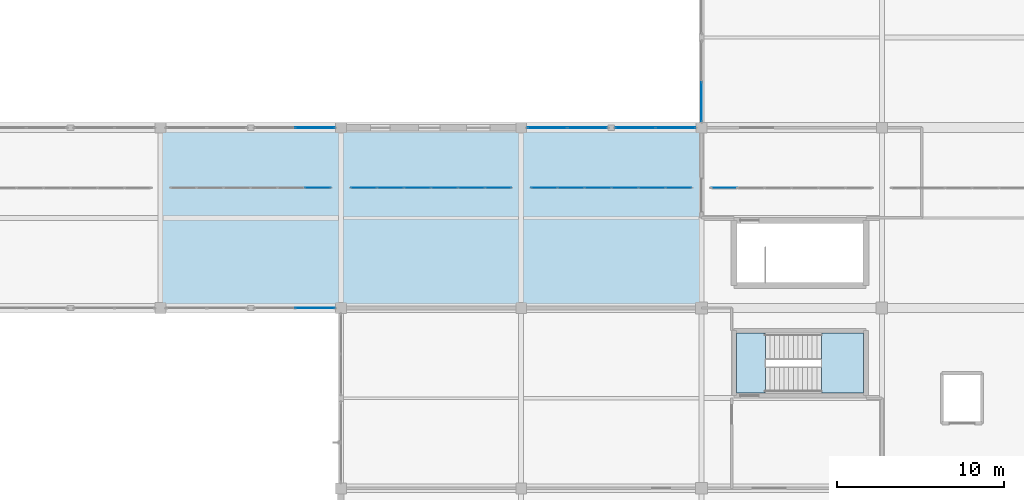
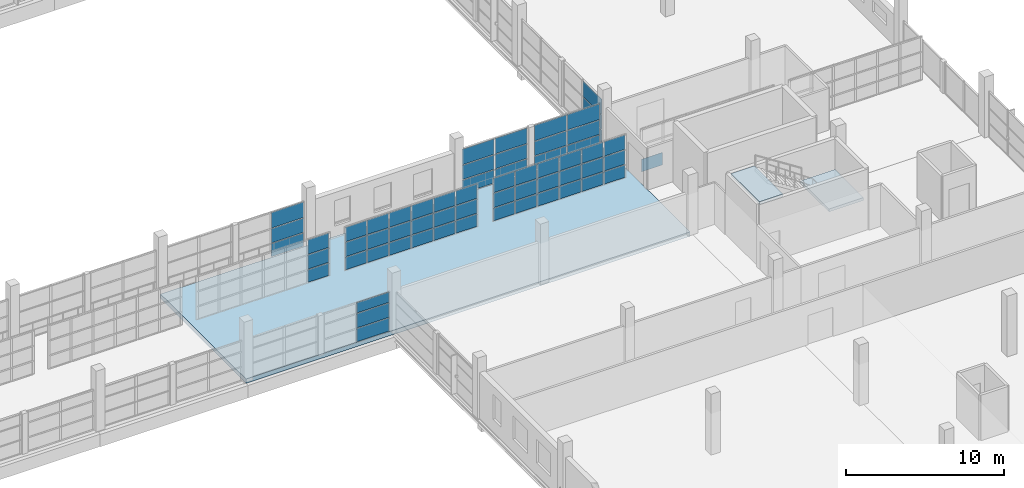
# One storey, part 96 of 142: 61 plates, 3 slabs, 10 elements without a shape of their own.
"""IFC4 building model written with IfcOpenShell, lengths in metres."""

from ifc_helpers import new_model, si_unit, direction, frame, origin, origin_2d, place, context, subcontext, project, spatial, polyline, rectangle, outline, extrude, material, layer, layer_set, type_object, element, aggregate, save


model = new_model("IFC4")

# Units and contexts
model_context = context("Model", 3, precision=1e-05, world=origin(), true_north=direction((0.0, 1.0)))
body_context = subcontext(model_context, "Body", "Model", "MODEL_VIEW")
ifc_project = project(units=[si_unit("LENGTHUNIT", "METRE"), si_unit("AREAUNIT", "SQUARE_METRE"), si_unit("VOLUMEUNIT", "CUBIC_METRE"), si_unit("PLANEANGLEUNIT", "RADIAN"), si_unit("MASSUNIT", "GRAM", prefix="KILO")], contexts=[model_context])

# Site, building, storey
site_placement = place(None, origin())
site = spatial("IfcSite", under=ifc_project, at=site_placement, CompositionType="ELEMENT")
building_placement = place(site_placement, origin())
building = spatial("IfcBuilding", under=site, at=building_placement, Name="Zwinboog Wholesale Market", CompositionType="ELEMENT")
storey_placement = place(building_placement, frame((0.0, 0.0, 5.39990234375)))
storey = spatial("IfcBuildingStorey", under=building, at=storey_placement, Name="L01", CompositionType="ELEMENT", Elevation=5.39990234375)

# Slab
ifc_material_1 = material(Name="Precast concrete C45/55", Category="concrete")
ifc_layer_1 = layer(ifc_material_1, 0.33203125)
ifc_layer_set_1 = layer_set([ifc_layer_1], Name="Precast concrete C45/55")
slab_type_1 = type_object("IfcSlabType", Name="SLT-FL-332", PredefinedType="FLOOR", material=ifc_layer_set_1)
slab_1_placement = place(storey_placement, frame((0.0, 0.0, -0.331787109375)))
element("IfcSlab", 1, at=slab_1_placement, inside=storey, type_object=slab_type_1, Name="SF-332 (SLB-L01-038)", PredefinedType="FLOOR", context=body_context, shape_type="SweptSolid", body=[
    extrude(outline(polyline([(118.800048828125, 43.199951171875), (151.199951171875, 43.199951171875), (151.199951171875, 54.0), (118.800048828125, 54.0), (118.800048828125, 43.199951171875)])), origin(), (0.0, 0.0, 1.0), 0.331787109375),
])

# Curtain wall, plates
ifc_material_2 = material(Name="Aluminium thermally broken curtain wall", Category="aluminium")
curtain_wall_type_1 = type_object("IfcCurtainWallType", Name="CWT-STALL-20", PredefinedType="USERDEFINED", material=ifc_material_2)
curtain_wall_1_placement = place(storey_placement, origin())
curtain_wall_1 = element("IfcCurtainWall", 2, at=curtain_wall_1_placement, inside=storey, type_object=curtain_wall_type_1, Name="CW-02 (CW-L01-110)", ObjectType="STOREFRONT_GLAZING", PredefinedType="USERDEFINED")
ifc_material_3 = material(Name="Triple solar-control insulated glazing", Category="glass")
ifc_layer_2 = layer(ifc_material_3, 0.0380859375)
ifc_layer_set_2 = layer_set([ifc_layer_2], Name="Triple solar-control insulated glazing")
plate_type_1 = type_object("IfcPlateType", Name="CWP-IGU-38", PredefinedType="CURTAIN_PANEL", material=ifc_layer_set_2)
plate_1_placement = place(storey_placement, frame((128.044921875, 43.199951171875, 0.06005859375), z_axis=(0.0, 0.0, 1.0), x_axis=(1.0, 0.0, 0.0)))
plate_1 = element("IfcPlate", 3, at=plate_1_placement, type_object=plate_type_1, Name="CW-02 panel 2.1", PredefinedType="CURTAIN_PANEL", context=body_context, shape_type="SweptSolid", body=[
    extrude(rectangle(XDim=2.35009765625, YDim=0.0380859375, at=origin_2d()), origin(), (0.0, 0.0, 1.0), 1.010009765625),
])
plate_2_placement = place(storey_placement, frame((128.044921875, 43.199951171875, 1.1298828125), z_axis=(0.0, 0.0, 1.0), x_axis=(1.0, 0.0, 0.0)))
plate_2 = element("IfcPlate", 4, at=plate_2_placement, type_object=plate_type_1, Name="CW-02 panel 2.2", PredefinedType="CURTAIN_PANEL", context=body_context, shape_type="SweptSolid", body=[
    extrude(rectangle(XDim=2.35009765625, YDim=0.0380859375, at=origin_2d()), origin(), (0.0, 0.0, 1.0), 1.090087890625),
])
plate_3_placement = place(storey_placement, frame((128.044921875, 43.199951171875, 2.2802734375), z_axis=(0.0, 0.0, 1.0), x_axis=(1.0, 0.0, 0.0)))
plate_3 = element("IfcPlate", 5, at=plate_3_placement, type_object=plate_type_1, Name="CW-02 panel 2.3", PredefinedType="CURTAIN_PANEL", context=body_context, shape_type="SweptSolid", body=[
    extrude(rectangle(XDim=2.35009765625, YDim=0.0380859375, at=origin_2d()), origin(), (0.0, 0.0, 1.0), 0.780029296875),
])
aggregate(curtain_wall_1, [plate_1, plate_2, plate_3])

curtain_wall_type_2 = type_object("IfcCurtainWallType", Name="CWT-GAL-16", PredefinedType="USERDEFINED", material=ifc_material_2)
curtain_wall_2_placement = place(storey_placement, origin())
curtain_wall_2 = element("IfcCurtainWall", 6, at=curtain_wall_2_placement, inside=storey, type_object=curtain_wall_type_2, Name="CW-04 (CW-L01-112)", ObjectType="UNITIZED_CURTAIN_WALL", PredefinedType="USERDEFINED")
plate_4_placement = place(storey_placement, frame((128.044921875, 54.0, 0.06005859375), z_axis=(0.0, 0.0, 1.0), x_axis=(1.0, 0.0, 0.0)))
plate_4 = element("IfcPlate", 7, at=plate_4_placement, type_object=plate_type_1, Name="CW-04 panel 2.1", PredefinedType="CURTAIN_PANEL", context=body_context, shape_type="SweptSolid", body=[
    extrude(rectangle(XDim=2.35009765625, YDim=0.0380859375, at=origin_2d()), origin(), (0.0, 0.0, 1.0), 1.010009765625),
])
plate_5_placement = place(storey_placement, frame((128.044921875, 54.0, 1.1298828125), z_axis=(0.0, 0.0, 1.0), x_axis=(1.0, 0.0, 0.0)))
plate_5 = element("IfcPlate", 8, at=plate_5_placement, type_object=plate_type_1, Name="CW-04 panel 2.2", PredefinedType="CURTAIN_PANEL", context=body_context, shape_type="SweptSolid", body=[
    extrude(rectangle(XDim=2.35009765625, YDim=0.0380859375, at=origin_2d()), origin(), (0.0, 0.0, 1.0), 1.090087890625),
])
plate_6_placement = place(storey_placement, frame((128.044921875, 54.0, 2.280029296875), z_axis=(0.0, 0.0, 1.0), x_axis=(1.0, 0.0, 0.0)))
plate_6 = element("IfcPlate", 9, at=plate_6_placement, type_object=plate_type_1, Name="CW-04 panel 2.3", PredefinedType="CURTAIN_PANEL", context=body_context, shape_type="SweptSolid", body=[
    extrude(rectangle(XDim=2.35009765625, YDim=0.0380859375, at=origin_2d()), origin(), (0.0, 0.0, 1.0), 1.18994140625),
])
aggregate(curtain_wall_2, [plate_4, plate_5, plate_6])

curtain_wall_type_3 = type_object("IfcCurtainWallType", Name="CWT-HALL-24", PredefinedType="USERDEFINED", material=ifc_material_2)
curtain_wall_3_placement = place(storey_placement, origin())
curtain_wall_3 = element("IfcCurtainWall", 10, at=curtain_wall_3_placement, inside=storey, type_object=curtain_wall_type_3, Name="CW-03 (CW-L01-123)", ObjectType="UNITIZED_CURTAIN_WALL", PredefinedType="USERDEFINED")
plate_7_placement = place(storey_placement, frame((141.956298828125, 54.0, 0.065185546875), z_axis=(0.0, 0.0, 1.0), x_axis=(1.0, 0.0, 0.0)))
plate_7 = element("IfcPlate", 11, at=plate_7_placement, type_object=plate_type_1, Name="CW-03 panel 1.1", PredefinedType="CURTAIN_PANEL", context=body_context, shape_type="SweptSolid", body=[
    extrude(rectangle(XDim=2.342529296875, YDim=0.0380859375, at=origin_2d()), origin(), (0.0, 0.0, 1.0), 1.00244140625),
])
plate_8_placement = place(storey_placement, frame((141.956298828125, 54.0, 1.132568359375), z_axis=(0.0, 0.0, 1.0), x_axis=(1.0, 0.0, 0.0)))
plate_8 = element("IfcPlate", 12, at=plate_8_placement, type_object=plate_type_1, Name="CW-03 panel 1.2", PredefinedType="CURTAIN_PANEL", context=body_context, shape_type="SweptSolid", body=[
    extrude(rectangle(XDim=2.342529296875, YDim=0.0380859375, at=origin_2d()), origin(), (0.0, 0.0, 1.0), 1.0849609375),
])
plate_9_placement = place(storey_placement, frame((141.956298828125, 54.0, 2.282470703125), z_axis=(0.0, 0.0, 1.0), x_axis=(1.0, 0.0, 0.0)))
plate_9 = element("IfcPlate", 13, at=plate_9_placement, type_object=plate_type_1, Name="CW-03 panel 1.3", PredefinedType="CURTAIN_PANEL", context=body_context, shape_type="SweptSolid", body=[
    extrude(rectangle(XDim=2.342529296875, YDim=0.0380859375, at=origin_2d()), origin(), (0.0, 0.0, 1.0), 1.1826171875),
])
plate_10_placement = place(storey_placement, frame((144.36376953125, 54.0, 0.065185546875), z_axis=(0.0, 0.0, 1.0), x_axis=(1.0, 0.0, 0.0)))
plate_10 = element("IfcPlate", 14, at=plate_10_placement, type_object=plate_type_1, Name="CW-03 panel 2.1", PredefinedType="CURTAIN_PANEL", context=body_context, shape_type="SweptSolid", body=[
    extrude(rectangle(XDim=2.342529296875, YDim=0.0380859375, at=origin_2d()), origin(), (0.0, 0.0, 1.0), 1.00244140625),
])
plate_11_placement = place(storey_placement, frame((144.36376953125, 54.0, 1.132568359375), z_axis=(0.0, 0.0, 1.0), x_axis=(1.0, 0.0, 0.0)))
plate_11 = element("IfcPlate", 15, at=plate_11_placement, type_object=plate_type_1, Name="CW-03 panel 2.2", PredefinedType="CURTAIN_PANEL", context=body_context, shape_type="SweptSolid", body=[
    extrude(rectangle(XDim=2.342529296875, YDim=0.0380859375, at=origin_2d()), origin(), (0.0, 0.0, 1.0), 1.0849609375),
])
plate_12_placement = place(storey_placement, frame((144.36376953125, 54.0, 2.282470703125), z_axis=(0.0, 0.0, 1.0), x_axis=(1.0, 0.0, 0.0)))
plate_12 = element("IfcPlate", 16, at=plate_12_placement, type_object=plate_type_1, Name="CW-03 panel 2.3", PredefinedType="CURTAIN_PANEL", context=body_context, shape_type="SweptSolid", body=[
    extrude(rectangle(XDim=2.342529296875, YDim=0.0380859375, at=origin_2d()), origin(), (0.0, 0.0, 1.0), 1.1826171875),
])
aggregate(curtain_wall_3, [plate_7, plate_8, plate_9, plate_10, plate_11, plate_12])

curtain_wall_4_placement = place(storey_placement, origin())
curtain_wall_4 = element("IfcCurtainWall", 17, at=curtain_wall_4_placement, inside=storey, type_object=curtain_wall_type_2, Name="CW-04 (CW-L01-124)", ObjectType="UNITIZED_CURTAIN_WALL", PredefinedType="USERDEFINED")
plate_13_placement = place(storey_placement, frame((147.235107421875, 54.0, 0.06005859375), z_axis=(0.0, 0.0, 1.0), x_axis=(1.0, 0.0, 0.0)))
plate_13 = element("IfcPlate", 18, at=plate_13_placement, type_object=plate_type_1, Name="CW-04 panel 1.1", PredefinedType="CURTAIN_PANEL", context=body_context, shape_type="SweptSolid", body=[
    extrude(rectangle(XDim=2.35009765625, YDim=0.0380859375, at=origin_2d()), origin(), (0.0, 0.0, 1.0), 1.010009765625),
])
plate_14_placement = place(storey_placement, frame((147.235107421875, 54.0, 1.1298828125), z_axis=(0.0, 0.0, 1.0), x_axis=(1.0, 0.0, 0.0)))
plate_14 = element("IfcPlate", 19, at=plate_14_placement, type_object=plate_type_1, Name="CW-04 panel 1.2", PredefinedType="CURTAIN_PANEL", context=body_context, shape_type="SweptSolid", body=[
    extrude(rectangle(XDim=2.35009765625, YDim=0.0380859375, at=origin_2d()), origin(), (0.0, 0.0, 1.0), 1.090087890625),
])
plate_15_placement = place(storey_placement, frame((147.235107421875, 54.0, 2.280029296875), z_axis=(0.0, 0.0, 1.0), x_axis=(1.0, 0.0, 0.0)))
plate_15 = element("IfcPlate", 20, at=plate_15_placement, type_object=plate_type_1, Name="CW-04 panel 1.3", PredefinedType="CURTAIN_PANEL", context=body_context, shape_type="SweptSolid", body=[
    extrude(rectangle(XDim=2.35009765625, YDim=0.0380859375, at=origin_2d()), origin(), (0.0, 0.0, 1.0), 1.18994140625),
])
plate_16_placement = place(storey_placement, frame((149.64501953125, 54.0, 0.06005859375), z_axis=(0.0, 0.0, 1.0), x_axis=(1.0, 0.0, 0.0)))
plate_16 = element("IfcPlate", 21, at=plate_16_placement, type_object=plate_type_1, Name="CW-04 panel 2.1", PredefinedType="CURTAIN_PANEL", context=body_context, shape_type="SweptSolid", body=[
    extrude(rectangle(XDim=2.35009765625, YDim=0.0380859375, at=origin_2d()), origin(), (0.0, 0.0, 1.0), 1.010009765625),
])
plate_17_placement = place(storey_placement, frame((149.64501953125, 54.0, 1.1298828125), z_axis=(0.0, 0.0, 1.0), x_axis=(1.0, 0.0, 0.0)))
plate_17 = element("IfcPlate", 22, at=plate_17_placement, type_object=plate_type_1, Name="CW-04 panel 2.2", PredefinedType="CURTAIN_PANEL", context=body_context, shape_type="SweptSolid", body=[
    extrude(rectangle(XDim=2.35009765625, YDim=0.0380859375, at=origin_2d()), origin(), (0.0, 0.0, 1.0), 1.090087890625),
])
plate_18_placement = place(storey_placement, frame((149.64501953125, 54.0, 2.280029296875), z_axis=(0.0, 0.0, 1.0), x_axis=(1.0, 0.0, 0.0)))
plate_18 = element("IfcPlate", 23, at=plate_18_placement, type_object=plate_type_1, Name="CW-04 panel 2.3", PredefinedType="CURTAIN_PANEL", context=body_context, shape_type="SweptSolid", body=[
    extrude(rectangle(XDim=2.35009765625, YDim=0.0380859375, at=origin_2d()), origin(), (0.0, 0.0, 1.0), 1.18994140625),
])
aggregate(curtain_wall_4, [plate_13, plate_14, plate_15, plate_16, plate_17, plate_18])

curtain_wall_type_4 = type_object("IfcCurtainWallType", Name="CWT-STALL-18", PredefinedType="USERDEFINED", material=ifc_material_2)
curtain_wall_5_placement = place(storey_placement, origin())
curtain_wall_5 = element("IfcCurtainWall", 24, at=curtain_wall_5_placement, inside=storey, type_object=curtain_wall_type_4, Name="CW-01 (CW-L01-127)", ObjectType="STOREFRONT_GLAZING", PredefinedType="USERDEFINED")
plate_19_placement = place(storey_placement, frame((151.199951171875, 55.55615234375, 0.065185546875), z_axis=(0.0, 0.0, 1.0), x_axis=(0.0, 1.0, 0.0)))
plate_19 = element("IfcPlate", 25, at=plate_19_placement, type_object=plate_type_1, Name="CW-01 panel 1.1", PredefinedType="CURTAIN_PANEL", context=body_context, shape_type="SweptSolid", body=[
    extrude(rectangle(XDim=2.342529296875, YDim=0.0380859375, at=origin_2d()), origin(), (0.0, 0.0, 1.0), 1.00244140625),
])
plate_20_placement = place(storey_placement, frame((151.199951171875, 55.55615234375, 1.132568359375), z_axis=(0.0, 0.0, 1.0), x_axis=(0.0, 1.0, 0.0)))
plate_20 = element("IfcPlate", 26, at=plate_20_placement, type_object=plate_type_1, Name="CW-01 panel 1.2", PredefinedType="CURTAIN_PANEL", context=body_context, shape_type="SweptSolid", body=[
    extrude(rectangle(XDim=2.342529296875, YDim=0.0380859375, at=origin_2d()), origin(), (0.0, 0.0, 1.0), 1.0849609375),
])
plate_21_placement = place(storey_placement, frame((151.199951171875, 55.55615234375, 2.282470703125), z_axis=(0.0, 0.0, 1.0), x_axis=(0.0, 1.0, 0.0)))
plate_21 = element("IfcPlate", 27, at=plate_21_placement, type_object=plate_type_1, Name="CW-01 panel 1.3", PredefinedType="CURTAIN_PANEL", context=body_context, shape_type="SweptSolid", body=[
    extrude(rectangle(XDim=2.342529296875, YDim=0.0380859375, at=origin_2d()), origin(), (0.0, 0.0, 1.0), 1.1826171875),
])
aggregate(curtain_wall_5, [plate_19, plate_20, plate_21])

curtain_wall_type_5 = type_object("IfcCurtainWallType", Name="CWT-INT-STALL", PredefinedType="USERDEFINED", material=ifc_material_2)
curtain_wall_6_placement = place(storey_placement, origin())
curtain_wall_6 = element("IfcCurtainWall", 28, at=curtain_wall_6_placement, inside=storey, type_object=curtain_wall_type_5, Name="CW-07 (CW-STL-230)", ObjectType="STOREFRONT_GLAZING", PredefinedType="USERDEFINED")
ifc_material_4 = material(Name="Tempered laminated market stall glazing", Category="glass")
ifc_layer_3 = layer(ifc_material_4, 0.01611328125)
ifc_layer_set_3 = layer_set([ifc_layer_3], Name="Tempered laminated market stall glazing")
plate_type_2 = type_object("IfcPlateType", Name="CWP-INT-16", PredefinedType="CURTAIN_PANEL", material=ifc_layer_set_3)
plate_22_placement = place(storey_placement, frame((128.2265625, 50.39990234375, 0.06005859375), z_axis=(0.0, 0.0, 1.0), x_axis=(1.0, 0.0, 0.0)))
plate_22 = element("IfcPlate", 29, at=plate_22_placement, type_object=plate_type_2, Name="CW-07 panel 6.1", PredefinedType="CURTAIN_PANEL", context=body_context, shape_type="SweptSolid", body=[
    extrude(rectangle(XDim=1.526611328125, YDim=0.01611328125, at=origin_2d()), origin(), (0.0, 0.0, 1.0), 0.9599609375),
])
plate_23_placement = place(storey_placement, frame((128.2265625, 50.39990234375, 1.080078125), z_axis=(0.0, 0.0, 1.0), x_axis=(1.0, 0.0, 0.0)))
plate_23 = element("IfcPlate", 30, at=plate_23_placement, type_object=plate_type_2, Name="CW-07 panel 6.2", PredefinedType="CURTAIN_PANEL", context=body_context, shape_type="SweptSolid", body=[
    extrude(rectangle(XDim=1.526611328125, YDim=0.01611328125, at=origin_2d()), origin(), (0.0, 0.0, 1.0), 1.090087890625),
])
plate_24_placement = place(storey_placement, frame((128.2265625, 50.39990234375, 2.22998046875), z_axis=(0.0, 0.0, 1.0), x_axis=(1.0, 0.0, 0.0)))
plate_24 = element("IfcPlate", 31, at=plate_24_placement, type_object=plate_type_2, Name="CW-07 panel 6.3", PredefinedType="CURTAIN_PANEL", context=body_context, shape_type="SweptSolid", body=[
    extrude(rectangle(XDim=1.526611328125, YDim=0.01611328125, at=origin_2d()), origin(), (0.0, 0.0, 1.0), 1.110107421875),
])
aggregate(curtain_wall_6, [plate_22, plate_23, plate_24])

curtain_wall_7_placement = place(storey_placement, origin())
curtain_wall_7 = element("IfcCurtainWall", 32, at=curtain_wall_7_placement, inside=storey, type_object=curtain_wall_type_5, Name="CW-07 (CW-STL-231)", ObjectType="STOREFRONT_GLAZING", PredefinedType="USERDEFINED")
plate_25_placement = place(storey_placement, frame((130.973388671875, 50.39990234375, 0.06005859375), z_axis=(0.0, 0.0, 1.0), x_axis=(1.0, 0.0, 0.0)))
plate_25 = element("IfcPlate", 33, at=plate_25_placement, type_object=plate_type_2, Name="CW-07 panel 1.1", PredefinedType="CURTAIN_PANEL", context=body_context, shape_type="SweptSolid", body=[
    extrude(rectangle(XDim=1.526611328125, YDim=0.01611328125, at=origin_2d()), origin(), (0.0, 0.0, 1.0), 0.9599609375),
])
plate_26_placement = place(storey_placement, frame((130.973388671875, 50.39990234375, 1.080078125), z_axis=(0.0, 0.0, 1.0), x_axis=(1.0, 0.0, 0.0)))
plate_26 = element("IfcPlate", 34, at=plate_26_placement, type_object=plate_type_2, Name="CW-07 panel 1.2", PredefinedType="CURTAIN_PANEL", context=body_context, shape_type="SweptSolid", body=[
    extrude(rectangle(XDim=1.526611328125, YDim=0.01611328125, at=origin_2d()), origin(), (0.0, 0.0, 1.0), 1.090087890625),
])
plate_27_placement = place(storey_placement, frame((130.973388671875, 50.39990234375, 2.22998046875), z_axis=(0.0, 0.0, 1.0), x_axis=(1.0, 0.0, 0.0)))
plate_27 = element("IfcPlate", 35, at=plate_27_placement, type_object=plate_type_2, Name="CW-07 panel 1.3", PredefinedType="CURTAIN_PANEL", context=body_context, shape_type="SweptSolid", body=[
    extrude(rectangle(XDim=1.526611328125, YDim=0.01611328125, at=origin_2d()), origin(), (0.0, 0.0, 1.0), 1.110107421875),
])
plate_28_placement = place(storey_placement, frame((132.574951171875, 50.39990234375, 0.06005859375), z_axis=(0.0, 0.0, 1.0), x_axis=(1.0, 0.0, 0.0)))
plate_28 = element("IfcPlate", 36, at=plate_28_placement, type_object=plate_type_2, Name="CW-07 panel 2.1", PredefinedType="CURTAIN_PANEL", context=body_context, shape_type="SweptSolid", body=[
    extrude(rectangle(XDim=1.556640625, YDim=0.01611328125, at=origin_2d()), origin(), (0.0, 0.0, 1.0), 0.9599609375),
])
plate_29_placement = place(storey_placement, frame((132.574951171875, 50.39990234375, 1.080078125), z_axis=(0.0, 0.0, 1.0), x_axis=(1.0, 0.0, 0.0)))
plate_29 = element("IfcPlate", 37, at=plate_29_placement, type_object=plate_type_2, Name="CW-07 panel 2.2", PredefinedType="CURTAIN_PANEL", context=body_context, shape_type="SweptSolid", body=[
    extrude(rectangle(XDim=1.556640625, YDim=0.01611328125, at=origin_2d()), origin(), (0.0, 0.0, 1.0), 1.090087890625),
])
plate_30_placement = place(storey_placement, frame((132.574951171875, 50.39990234375, 2.22998046875), z_axis=(0.0, 0.0, 1.0), x_axis=(1.0, 0.0, 0.0)))
plate_30 = element("IfcPlate", 38, at=plate_30_placement, type_object=plate_type_2, Name="CW-07 panel 2.3", PredefinedType="CURTAIN_PANEL", context=body_context, shape_type="SweptSolid", body=[
    extrude(rectangle(XDim=1.556640625, YDim=0.01611328125, at=origin_2d()), origin(), (0.0, 0.0, 1.0), 1.110107421875),
])
plate_31_placement = place(storey_placement, frame((134.191650390625, 50.39990234375, 0.06005859375), z_axis=(0.0, 0.0, 1.0), x_axis=(1.0, 0.0, 0.0)))
plate_31 = element("IfcPlate", 39, at=plate_31_placement, type_object=plate_type_2, Name="CW-07 panel 3.1", PredefinedType="CURTAIN_PANEL", context=body_context, shape_type="SweptSolid", body=[
    extrude(rectangle(XDim=1.556640625, YDim=0.01611328125, at=origin_2d()), origin(), (0.0, 0.0, 1.0), 0.9599609375),
])
plate_32_placement = place(storey_placement, frame((134.191650390625, 50.39990234375, 1.080078125), z_axis=(0.0, 0.0, 1.0), x_axis=(1.0, 0.0, 0.0)))
plate_32 = element("IfcPlate", 40, at=plate_32_placement, type_object=plate_type_2, Name="CW-07 panel 3.2", PredefinedType="CURTAIN_PANEL", context=body_context, shape_type="SweptSolid", body=[
    extrude(rectangle(XDim=1.556640625, YDim=0.01611328125, at=origin_2d()), origin(), (0.0, 0.0, 1.0), 1.090087890625),
])
plate_33_placement = place(storey_placement, frame((134.191650390625, 50.39990234375, 2.22998046875), z_axis=(0.0, 0.0, 1.0), x_axis=(1.0, 0.0, 0.0)))
plate_33 = element("IfcPlate", 41, at=plate_33_placement, type_object=plate_type_2, Name="CW-07 panel 3.3", PredefinedType="CURTAIN_PANEL", context=body_context, shape_type="SweptSolid", body=[
    extrude(rectangle(XDim=1.556640625, YDim=0.01611328125, at=origin_2d()), origin(), (0.0, 0.0, 1.0), 1.110107421875),
])
plate_34_placement = place(storey_placement, frame((135.808349609375, 50.39990234375, 0.06005859375), z_axis=(0.0, 0.0, 1.0), x_axis=(1.0, 0.0, 0.0)))
plate_34 = element("IfcPlate", 42, at=plate_34_placement, type_object=plate_type_2, Name="CW-07 panel 4.1", PredefinedType="CURTAIN_PANEL", context=body_context, shape_type="SweptSolid", body=[
    extrude(rectangle(XDim=1.556640625, YDim=0.01611328125, at=origin_2d()), origin(), (0.0, 0.0, 1.0), 0.9599609375),
])
plate_35_placement = place(storey_placement, frame((135.808349609375, 50.39990234375, 1.080078125), z_axis=(0.0, 0.0, 1.0), x_axis=(1.0, 0.0, 0.0)))
plate_35 = element("IfcPlate", 43, at=plate_35_placement, type_object=plate_type_2, Name="CW-07 panel 4.2", PredefinedType="CURTAIN_PANEL", context=body_context, shape_type="SweptSolid", body=[
    extrude(rectangle(XDim=1.556640625, YDim=0.01611328125, at=origin_2d()), origin(), (0.0, 0.0, 1.0), 1.090087890625),
])
plate_36_placement = place(storey_placement, frame((135.808349609375, 50.39990234375, 2.22998046875), z_axis=(0.0, 0.0, 1.0), x_axis=(1.0, 0.0, 0.0)))
plate_36 = element("IfcPlate", 44, at=plate_36_placement, type_object=plate_type_2, Name="CW-07 panel 4.3", PredefinedType="CURTAIN_PANEL", context=body_context, shape_type="SweptSolid", body=[
    extrude(rectangle(XDim=1.556640625, YDim=0.01611328125, at=origin_2d()), origin(), (0.0, 0.0, 1.0), 1.110107421875),
])
plate_37_placement = place(storey_placement, frame((137.425048828125, 50.39990234375, 0.06005859375), z_axis=(0.0, 0.0, 1.0), x_axis=(1.0, 0.0, 0.0)))
plate_37 = element("IfcPlate", 45, at=plate_37_placement, type_object=plate_type_2, Name="CW-07 panel 5.1", PredefinedType="CURTAIN_PANEL", context=body_context, shape_type="SweptSolid", body=[
    extrude(rectangle(XDim=1.556640625, YDim=0.01611328125, at=origin_2d()), origin(), (0.0, 0.0, 1.0), 0.9599609375),
])
plate_38_placement = place(storey_placement, frame((137.425048828125, 50.39990234375, 1.080078125), z_axis=(0.0, 0.0, 1.0), x_axis=(1.0, 0.0, 0.0)))
plate_38 = element("IfcPlate", 46, at=plate_38_placement, type_object=plate_type_2, Name="CW-07 panel 5.2", PredefinedType="CURTAIN_PANEL", context=body_context, shape_type="SweptSolid", body=[
    extrude(rectangle(XDim=1.556640625, YDim=0.01611328125, at=origin_2d()), origin(), (0.0, 0.0, 1.0), 1.090087890625),
])
plate_39_placement = place(storey_placement, frame((137.425048828125, 50.39990234375, 2.22998046875), z_axis=(0.0, 0.0, 1.0), x_axis=(1.0, 0.0, 0.0)))
plate_39 = element("IfcPlate", 47, at=plate_39_placement, type_object=plate_type_2, Name="CW-07 panel 5.3", PredefinedType="CURTAIN_PANEL", context=body_context, shape_type="SweptSolid", body=[
    extrude(rectangle(XDim=1.556640625, YDim=0.01611328125, at=origin_2d()), origin(), (0.0, 0.0, 1.0), 1.110107421875),
])
plate_40_placement = place(storey_placement, frame((139.026611328125, 50.39990234375, 0.06005859375), z_axis=(0.0, 0.0, 1.0), x_axis=(1.0, 0.0, 0.0)))
plate_40 = element("IfcPlate", 48, at=plate_40_placement, type_object=plate_type_2, Name="CW-07 panel 6.1", PredefinedType="CURTAIN_PANEL", context=body_context, shape_type="SweptSolid", body=[
    extrude(rectangle(XDim=1.526611328125, YDim=0.01611328125, at=origin_2d()), origin(), (0.0, 0.0, 1.0), 0.9599609375),
])
plate_41_placement = place(storey_placement, frame((139.026611328125, 50.39990234375, 1.080078125), z_axis=(0.0, 0.0, 1.0), x_axis=(1.0, 0.0, 0.0)))
plate_41 = element("IfcPlate", 49, at=plate_41_placement, type_object=plate_type_2, Name="CW-07 panel 6.2", PredefinedType="CURTAIN_PANEL", context=body_context, shape_type="SweptSolid", body=[
    extrude(rectangle(XDim=1.526611328125, YDim=0.01611328125, at=origin_2d()), origin(), (0.0, 0.0, 1.0), 1.090087890625),
])
plate_42_placement = place(storey_placement, frame((139.026611328125, 50.39990234375, 2.22998046875), z_axis=(0.0, 0.0, 1.0), x_axis=(1.0, 0.0, 0.0)))
plate_42 = element("IfcPlate", 50, at=plate_42_placement, type_object=plate_type_2, Name="CW-07 panel 6.3", PredefinedType="CURTAIN_PANEL", context=body_context, shape_type="SweptSolid", body=[
    extrude(rectangle(XDim=1.526611328125, YDim=0.01611328125, at=origin_2d()), origin(), (0.0, 0.0, 1.0), 1.110107421875),
])
aggregate(curtain_wall_7, [plate_25, plate_26, plate_27, plate_28, plate_29, plate_30, plate_31, plate_32, plate_33, plate_34, plate_35, plate_36, plate_37, plate_38, plate_39, plate_40, plate_41, plate_42])

curtain_wall_8_placement = place(storey_placement, origin())
curtain_wall_8 = element("IfcCurtainWall", 51, at=curtain_wall_8_placement, inside=storey, type_object=curtain_wall_type_5, Name="CW-07 (CW-STL-232)", ObjectType="STOREFRONT_GLAZING", PredefinedType="USERDEFINED")
plate_43_placement = place(storey_placement, frame((141.7734375, 50.39990234375, 0.06005859375), z_axis=(0.0, 0.0, 1.0), x_axis=(1.0, 0.0, 0.0)))
plate_43 = element("IfcPlate", 52, at=plate_43_placement, type_object=plate_type_2, Name="CW-07 panel 1.1", PredefinedType="CURTAIN_PANEL", context=body_context, shape_type="SweptSolid", body=[
    extrude(rectangle(XDim=1.526611328125, YDim=0.01611328125, at=origin_2d()), origin(), (0.0, 0.0, 1.0), 0.9599609375),
])
plate_44_placement = place(storey_placement, frame((141.7734375, 50.39990234375, 1.080078125), z_axis=(0.0, 0.0, 1.0), x_axis=(1.0, 0.0, 0.0)))
plate_44 = element("IfcPlate", 53, at=plate_44_placement, type_object=plate_type_2, Name="CW-07 panel 1.2", PredefinedType="CURTAIN_PANEL", context=body_context, shape_type="SweptSolid", body=[
    extrude(rectangle(XDim=1.526611328125, YDim=0.01611328125, at=origin_2d()), origin(), (0.0, 0.0, 1.0), 1.090087890625),
])
plate_45_placement = place(storey_placement, frame((141.7734375, 50.39990234375, 2.22998046875), z_axis=(0.0, 0.0, 1.0), x_axis=(1.0, 0.0, 0.0)))
plate_45 = element("IfcPlate", 54, at=plate_45_placement, type_object=plate_type_2, Name="CW-07 panel 1.3", PredefinedType="CURTAIN_PANEL", context=body_context, shape_type="SweptSolid", body=[
    extrude(rectangle(XDim=1.526611328125, YDim=0.01611328125, at=origin_2d()), origin(), (0.0, 0.0, 1.0), 1.110107421875),
])
plate_46_placement = place(storey_placement, frame((143.375, 50.39990234375, 0.06005859375), z_axis=(0.0, 0.0, 1.0), x_axis=(1.0, 0.0, 0.0)))
plate_46 = element("IfcPlate", 55, at=plate_46_placement, type_object=plate_type_2, Name="CW-07 panel 2.1", PredefinedType="CURTAIN_PANEL", context=body_context, shape_type="SweptSolid", body=[
    extrude(rectangle(XDim=1.556640625, YDim=0.01611328125, at=origin_2d()), origin(), (0.0, 0.0, 1.0), 0.9599609375),
])
plate_47_placement = place(storey_placement, frame((143.375, 50.39990234375, 1.080078125), z_axis=(0.0, 0.0, 1.0), x_axis=(1.0, 0.0, 0.0)))
plate_47 = element("IfcPlate", 56, at=plate_47_placement, type_object=plate_type_2, Name="CW-07 panel 2.2", PredefinedType="CURTAIN_PANEL", context=body_context, shape_type="SweptSolid", body=[
    extrude(rectangle(XDim=1.556640625, YDim=0.01611328125, at=origin_2d()), origin(), (0.0, 0.0, 1.0), 1.090087890625),
])
plate_48_placement = place(storey_placement, frame((143.375, 50.39990234375, 2.22998046875), z_axis=(0.0, 0.0, 1.0), x_axis=(1.0, 0.0, 0.0)))
plate_48 = element("IfcPlate", 57, at=plate_48_placement, type_object=plate_type_2, Name="CW-07 panel 2.3", PredefinedType="CURTAIN_PANEL", context=body_context, shape_type="SweptSolid", body=[
    extrude(rectangle(XDim=1.556640625, YDim=0.01611328125, at=origin_2d()), origin(), (0.0, 0.0, 1.0), 1.110107421875),
])
plate_49_placement = place(storey_placement, frame((144.99169921875, 50.39990234375, 0.06005859375), z_axis=(0.0, 0.0, 1.0), x_axis=(1.0, 0.0, 0.0)))
plate_49 = element("IfcPlate", 58, at=plate_49_placement, type_object=plate_type_2, Name="CW-07 panel 3.1", PredefinedType="CURTAIN_PANEL", context=body_context, shape_type="SweptSolid", body=[
    extrude(rectangle(XDim=1.556640625, YDim=0.01611328125, at=origin_2d()), origin(), (0.0, 0.0, 1.0), 0.9599609375),
])
plate_50_placement = place(storey_placement, frame((144.99169921875, 50.39990234375, 1.080078125), z_axis=(0.0, 0.0, 1.0), x_axis=(1.0, 0.0, 0.0)))
plate_50 = element("IfcPlate", 59, at=plate_50_placement, type_object=plate_type_2, Name="CW-07 panel 3.2", PredefinedType="CURTAIN_PANEL", context=body_context, shape_type="SweptSolid", body=[
    extrude(rectangle(XDim=1.556640625, YDim=0.01611328125, at=origin_2d()), origin(), (0.0, 0.0, 1.0), 1.090087890625),
])
plate_51_placement = place(storey_placement, frame((144.99169921875, 50.39990234375, 2.22998046875), z_axis=(0.0, 0.0, 1.0), x_axis=(1.0, 0.0, 0.0)))
plate_51 = element("IfcPlate", 60, at=plate_51_placement, type_object=plate_type_2, Name="CW-07 panel 3.3", PredefinedType="CURTAIN_PANEL", context=body_context, shape_type="SweptSolid", body=[
    extrude(rectangle(XDim=1.556640625, YDim=0.01611328125, at=origin_2d()), origin(), (0.0, 0.0, 1.0), 1.110107421875),
])
plate_52_placement = place(storey_placement, frame((146.6083984375, 50.39990234375, 0.06005859375), z_axis=(0.0, 0.0, 1.0), x_axis=(1.0, 0.0, 0.0)))
plate_52 = element("IfcPlate", 61, at=plate_52_placement, type_object=plate_type_2, Name="CW-07 panel 4.1", PredefinedType="CURTAIN_PANEL", context=body_context, shape_type="SweptSolid", body=[
    extrude(rectangle(XDim=1.556640625, YDim=0.01611328125, at=origin_2d()), origin(), (0.0, 0.0, 1.0), 0.9599609375),
])
plate_53_placement = place(storey_placement, frame((146.6083984375, 50.39990234375, 1.080078125), z_axis=(0.0, 0.0, 1.0), x_axis=(1.0, 0.0, 0.0)))
plate_53 = element("IfcPlate", 62, at=plate_53_placement, type_object=plate_type_2, Name="CW-07 panel 4.2", PredefinedType="CURTAIN_PANEL", context=body_context, shape_type="SweptSolid", body=[
    extrude(rectangle(XDim=1.556640625, YDim=0.01611328125, at=origin_2d()), origin(), (0.0, 0.0, 1.0), 1.090087890625),
])
plate_54_placement = place(storey_placement, frame((146.6083984375, 50.39990234375, 2.22998046875), z_axis=(0.0, 0.0, 1.0), x_axis=(1.0, 0.0, 0.0)))
plate_54 = element("IfcPlate", 63, at=plate_54_placement, type_object=plate_type_2, Name="CW-07 panel 4.3", PredefinedType="CURTAIN_PANEL", context=body_context, shape_type="SweptSolid", body=[
    extrude(rectangle(XDim=1.556640625, YDim=0.01611328125, at=origin_2d()), origin(), (0.0, 0.0, 1.0), 1.110107421875),
])
plate_55_placement = place(storey_placement, frame((148.22509765625, 50.39990234375, 0.06005859375), z_axis=(0.0, 0.0, 1.0), x_axis=(1.0, 0.0, 0.0)))
plate_55 = element("IfcPlate", 64, at=plate_55_placement, type_object=plate_type_2, Name="CW-07 panel 5.1", PredefinedType="CURTAIN_PANEL", context=body_context, shape_type="SweptSolid", body=[
    extrude(rectangle(XDim=1.556640625, YDim=0.01611328125, at=origin_2d()), origin(), (0.0, 0.0, 1.0), 0.9599609375),
])
plate_56_placement = place(storey_placement, frame((148.22509765625, 50.39990234375, 1.080078125), z_axis=(0.0, 0.0, 1.0), x_axis=(1.0, 0.0, 0.0)))
plate_56 = element("IfcPlate", 65, at=plate_56_placement, type_object=plate_type_2, Name="CW-07 panel 5.2", PredefinedType="CURTAIN_PANEL", context=body_context, shape_type="SweptSolid", body=[
    extrude(rectangle(XDim=1.556640625, YDim=0.01611328125, at=origin_2d()), origin(), (0.0, 0.0, 1.0), 1.090087890625),
])
plate_57_placement = place(storey_placement, frame((148.22509765625, 50.39990234375, 2.22998046875), z_axis=(0.0, 0.0, 1.0), x_axis=(1.0, 0.0, 0.0)))
plate_57 = element("IfcPlate", 66, at=plate_57_placement, type_object=plate_type_2, Name="CW-07 panel 5.3", PredefinedType="CURTAIN_PANEL", context=body_context, shape_type="SweptSolid", body=[
    extrude(rectangle(XDim=1.556640625, YDim=0.01611328125, at=origin_2d()), origin(), (0.0, 0.0, 1.0), 1.110107421875),
])
plate_58_placement = place(storey_placement, frame((149.82666015625, 50.39990234375, 0.06005859375), z_axis=(0.0, 0.0, 1.0), x_axis=(1.0, 0.0, 0.0)))
plate_58 = element("IfcPlate", 67, at=plate_58_placement, type_object=plate_type_2, Name="CW-07 panel 6.1", PredefinedType="CURTAIN_PANEL", context=body_context, shape_type="SweptSolid", body=[
    extrude(rectangle(XDim=1.526611328125, YDim=0.01611328125, at=origin_2d()), origin(), (0.0, 0.0, 1.0), 0.9599609375),
])
plate_59_placement = place(storey_placement, frame((149.82666015625, 50.39990234375, 1.080078125), z_axis=(0.0, 0.0, 1.0), x_axis=(1.0, 0.0, 0.0)))
plate_59 = element("IfcPlate", 68, at=plate_59_placement, type_object=plate_type_2, Name="CW-07 panel 6.2", PredefinedType="CURTAIN_PANEL", context=body_context, shape_type="SweptSolid", body=[
    extrude(rectangle(XDim=1.526611328125, YDim=0.01611328125, at=origin_2d()), origin(), (0.0, 0.0, 1.0), 1.090087890625),
])
plate_60_placement = place(storey_placement, frame((149.82666015625, 50.39990234375, 2.22998046875), z_axis=(0.0, 0.0, 1.0), x_axis=(1.0, 0.0, 0.0)))
plate_60 = element("IfcPlate", 69, at=plate_60_placement, type_object=plate_type_2, Name="CW-07 panel 6.3", PredefinedType="CURTAIN_PANEL", context=body_context, shape_type="SweptSolid", body=[
    extrude(rectangle(XDim=1.526611328125, YDim=0.01611328125, at=origin_2d()), origin(), (0.0, 0.0, 1.0), 1.110107421875),
])
aggregate(curtain_wall_8, [plate_43, plate_44, plate_45, plate_46, plate_47, plate_48, plate_49, plate_50, plate_51, plate_52, plate_53, plate_54, plate_55, plate_56, plate_57, plate_58, plate_59, plate_60])

# Curtain wall, plate
curtain_wall_9_placement = place(storey_placement, origin())
curtain_wall_9 = element("IfcCurtainWall", 70, at=curtain_wall_9_placement, inside=storey, type_object=curtain_wall_type_5, Name="CW-07 (CW-STL-233)", ObjectType="STOREFRONT_GLAZING", PredefinedType="USERDEFINED")
plate_61_placement = place(storey_placement, frame((152.5732421875, 50.39990234375, 0.06005859375), z_axis=(0.0, 0.0, 1.0), x_axis=(1.0, 0.0, 0.0)))
plate_61 = element("IfcPlate", 71, at=plate_61_placement, type_object=plate_type_2, Name="CW-07 panel 1.1", PredefinedType="CURTAIN_PANEL", context=body_context, shape_type="SweptSolid", body=[
    extrude(rectangle(XDim=1.526611328125, YDim=0.01611328125, at=origin_2d()), origin(), (0.0, 0.0, 1.0), 0.9599609375),
])
aggregate(curtain_wall_9, [plate_61])

# Stair, slabs
ifc_material_5 = material(Name="Concrete C40/50", Category="concrete")
stair_type = type_object("IfcStairType", Name="STT-DOG-160", PredefinedType="HALF_TURN_STAIR", material=ifc_material_5)
stair_placement = place(storey_placement, origin())
stair = element("IfcStair", 72, at=stair_placement, inside=storey, type_object=stair_type, Name="Enclosed Escape Stair ST-12B", PredefinedType="HALF_TURN_STAIR")
ifc_layer_4 = layer(ifc_material_5, 0.219970703125)
ifc_layer_set_4 = layer_set([ifc_layer_4], Name="Concrete C40/50")
slab_type_2 = type_object("IfcSlabType", Name="SLT-LND-220", PredefinedType="LANDING", material=ifc_layer_set_4)
slab_2_placement = place(storey_placement, frame((0.0, 0.0, 2.1201171875)))
slab_2 = element("IfcSlab", 73, at=slab_2_placement, type_object=slab_type_2, Name="ST-12B landing 1", PredefinedType="LANDING", context=body_context, shape_type="SweptSolid", body=[
    extrude(outline(polyline([(158.3798828125, 38.10498046875), (160.89501953125, 38.10498046875), (160.89501953125, 41.695068359375), (158.3798828125, 41.695068359375), (158.3798828125, 38.10498046875)])), origin(), (0.0, 0.0, 1.0), 0.219970703125),
])
slab_3_placement = place(storey_placement, frame((0.0, 0.0, 4.460205078125)))
slab_3 = element("IfcSlab", 74, at=slab_3_placement, type_object=slab_type_2, Name="ST-12B landing 2", PredefinedType="LANDING", context=body_context, shape_type="SweptSolid", body=[
    extrude(outline(polyline([(153.304931640625, 38.10498046875), (155.02001953125, 38.10498046875), (155.02001953125, 41.695068359375), (153.304931640625, 41.695068359375), (153.304931640625, 38.10498046875)])), origin(), (0.0, 0.0, 1.0), 0.219970703125),
])
aggregate(stair, [slab_2, slab_3])

save(model, "model.ifc")
